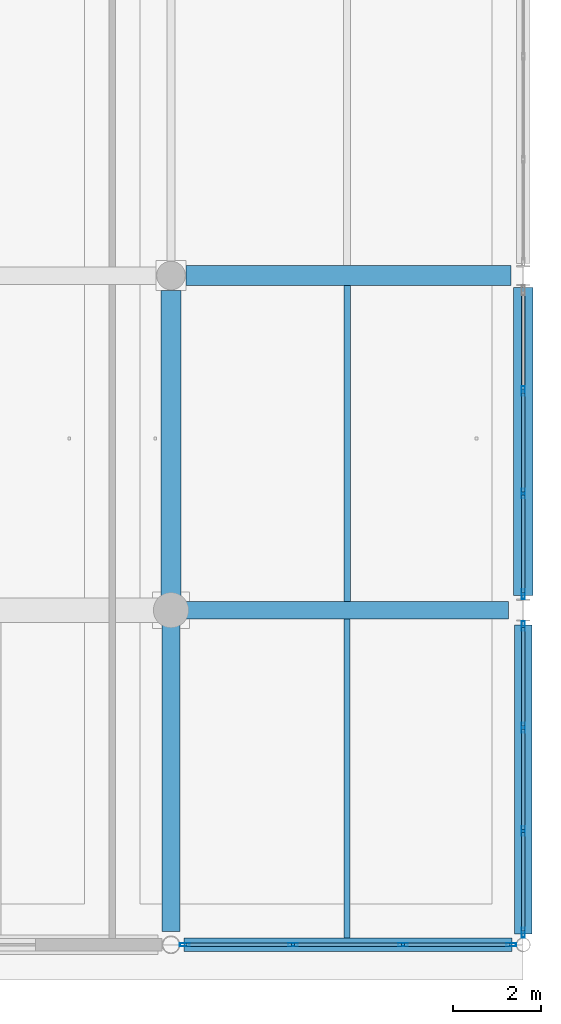
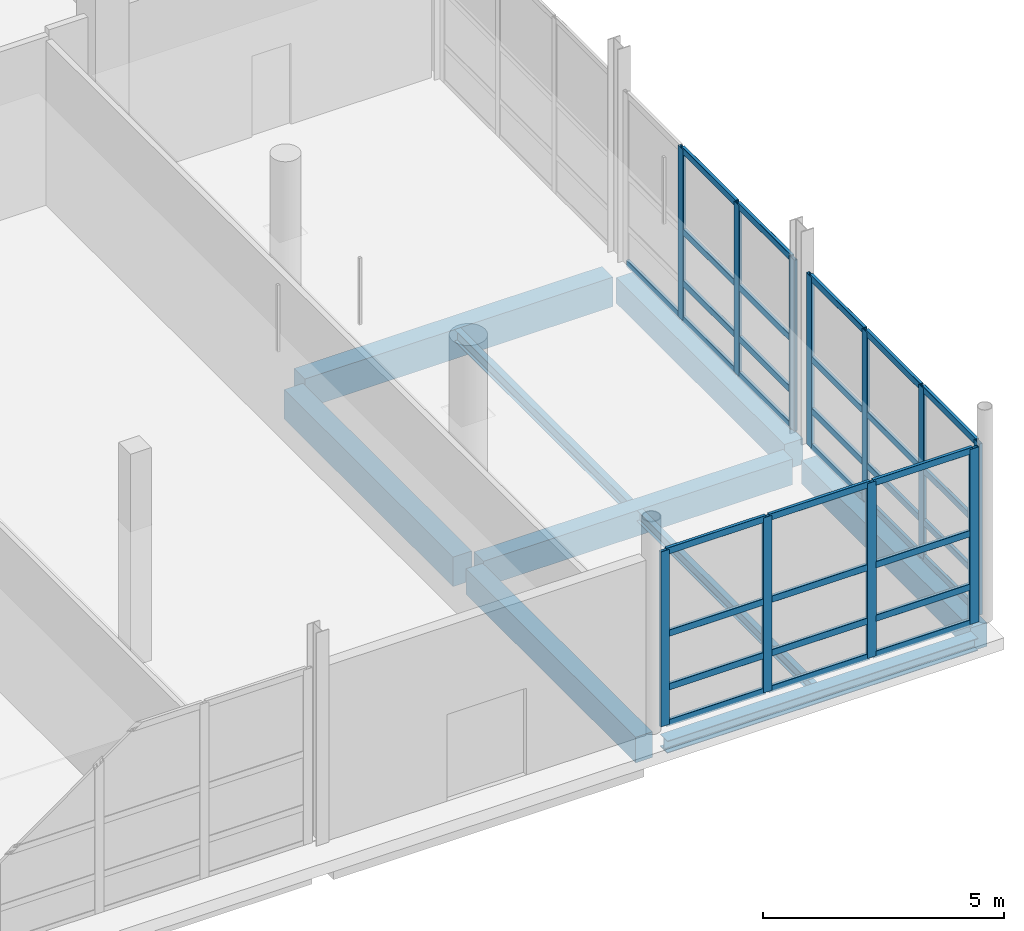
# One storey, part 39 of 126: 44 members, 9 beams, 3 elements without a shape of their own.
"""IFC4 building model written with IfcOpenShell, lengths in metres."""

import ifcopenshell
import ifcopenshell.guid

model = None  # the IFC model being written
_history = None  # IfcOwnerHistory: only IFC2X3 demands one
_inside = {}  # id of a spatial element -> (the spatial element, [elements in it])
_under = {}  # id of a project, library or spatial element -> (it, [spatial elements below it])
_declared = {}  # id of a project -> (the project, [libraries it declares])
_typed = {}  # id of a type object -> (the type object, [elements of that type])
_made_of = {}  # id of a material, layer set ... -> (it, [elements and type objects made of it])


def new_model(schema):
    """Start an empty IFC model of exactly this schema.

    Asked for "IFC4X3", IfcOpenShell would pick the latest addendum, in which some entities
    have other attributes; the version numbers below select the first issue.
    IFC2X3 requires an IfcOwnerHistory on every rooted entity: one is made here for all.
    """
    global model, _history
    if schema == "IFC4X3":
        model = ifcopenshell.file(schema_version=(4, 3, 0, 0))
    else:
        model = ifcopenshell.file(schema=schema)
    _inside.clear()
    _under.clear()
    _declared.clear()
    _typed.clear()
    _made_of.clear()
    _history = None
    if model.schema == "IFC2X3":
        org = make("IfcOrganization", Name="unknown")
        user = make(
            "IfcPersonAndOrganization",
            ThePerson=make("IfcPerson", FamilyName="unknown"),
            TheOrganization=org,
        )
        app = make(
            "IfcApplication",
            ApplicationDeveloper=org,
            Version="unknown",
            ApplicationFullName="unknown",
            ApplicationIdentifier="unknown",
        )
        _history = make(
            "IfcOwnerHistory",
            OwningUser=user,
            OwningApplication=app,
            ChangeAction="ADDED",
            CreationDate=0,
        )
    return model


def make(cls, **values):
    """One entity of the class cls with the attributes given. An attribute that is None is left unset."""
    return model.create_entity(
        cls, **{name: value for name, value in values.items() if value is not None}
    )


def rooted(cls, **values):
    """An entity with a GlobalId (a new one), such as an element, a storey or a relation."""
    return make(cls, GlobalId=ifcopenshell.guid.new(), OwnerHistory=_history, **values)


def si_unit(unit_type, name, prefix=None):
    """IfcSIUnit, for example si_unit("LENGTHUNIT", "METRE", prefix="MILLI")."""
    return make("IfcSIUnit", UnitType=unit_type, Prefix=prefix, Name=name)


def assignment(units):
    """IfcUnitAssignment: the units of a project."""
    return None if units is None else make("IfcUnitAssignment", Units=units)


def point(xyz):
    """IfcCartesianPoint."""
    return None if xyz is None else make("IfcCartesianPoint", Coordinates=xyz)


def direction(xyz):
    """IfcDirection."""
    return None if xyz is None else make("IfcDirection", DirectionRatios=xyz)


def frame(location, z_axis=None, x_axis=None):
    """IfcAxis2Placement3D, a coordinate frame: its origin and axes. An axis left out is left unset."""
    return make(
        "IfcAxis2Placement3D",
        Location=point(location),
        Axis=direction(z_axis),
        RefDirection=direction(x_axis),
    )


def frame_2d(location, x_axis=None):
    """IfcAxis2Placement2D, a coordinate frame in the plane: its origin and x axis."""
    return make(
        "IfcAxis2Placement2D", Location=point(location), RefDirection=direction(x_axis)
    )


def origin():
    """The frame at (0, 0, 0) with its axes left unset."""
    return frame((0.0, 0.0, 0.0))


def origin_2d():
    """The frame at (0, 0) in the plane with its x axis left unset."""
    return frame_2d((0.0, 0.0))


def place(relative_to, where):
    """IfcLocalPlacement: puts the frame where relative to a parent placement (None: the world)."""
    return make(
        "IfcLocalPlacement", PlacementRelTo=relative_to, RelativePlacement=where
    )


def context(
    kind, dimensions, precision=None, world=None, true_north=None, identifier=None
):
    """IfcGeometricRepresentationContext, for example the 3D "Model" context."""
    return make(
        "IfcGeometricRepresentationContext",
        ContextIdentifier=identifier,
        ContextType=kind,
        CoordinateSpaceDimension=dimensions,
        Precision=precision,
        WorldCoordinateSystem=world,
        TrueNorth=true_north,
    )


def subcontext(parent, identifier, kind, view, scale=None):
    """IfcGeometricRepresentationSubContext, for example "Body" below "Model"."""
    return make(
        "IfcGeometricRepresentationSubContext",
        ContextIdentifier=identifier,
        ContextType=kind,
        ParentContext=parent,
        TargetScale=scale,
        TargetView=view,
    )


def project(units=None, contexts=None):
    """IfcProject with its units and contexts."""
    return rooted(
        "IfcProject",
        Name="project",
        RepresentationContexts=contexts,
        UnitsInContext=assignment(units),
    )


def spatial(cls, under=None, at=None, **own):
    """A site, building, storey or space (cls), placed at a placement, below another one or the project."""
    s = rooted(cls, ObjectPlacement=at, **own)
    if under is not None:
        _under.setdefault(under.id(), (under, []))[1].append(s)
    return s


def profile(cls, at=None, kind="AREA", **sizes):
    """A parametric profile (cls). Its sizes go by their IFC names, for example OverallWidth=200.0."""
    return make(cls, ProfileType=kind, Position=at, **sizes)


def rectangle(**sizes):
    """IfcRectangleProfileDef."""
    return profile("IfcRectangleProfileDef", **sizes)


def hollow_rectangle(**sizes):
    """IfcRectangleHollowProfileDef."""
    return profile("IfcRectangleHollowProfileDef", **sizes)


def i_section(**sizes):
    """IfcIShapeProfileDef."""
    return profile("IfcIShapeProfileDef", **sizes)


def extrude(swept, where, along, depth):
    """IfcExtrudedAreaSolid: the profile swept, set in the frame where, extruded along a direction by depth."""
    return make(
        "IfcExtrudedAreaSolid",
        SweptArea=swept,
        Position=where,
        ExtrudedDirection=direction(along),
        Depth=depth,
    )


def shape(context_of_items, identifier, shape_type, items):
    """IfcShapeRepresentation: the items that make up one representation, for example the "Body"."""
    return make(
        "IfcShapeRepresentation",
        ContextOfItems=context_of_items,
        RepresentationIdentifier=identifier,
        RepresentationType=shape_type,
        Items=items,
    )


def material(Name=None, Category=None):
    """IfcMaterial."""
    return make("IfcMaterial", Name=Name, Category=Category)


def material_profile(
    of_material, cross_section, Name=None, Category=None, Priority=None
):
    """IfcMaterialProfile: a cross section and its material."""
    return make(
        "IfcMaterialProfile",
        Name=Name,
        Material=of_material,
        Profile=cross_section,
        Priority=Priority,
        Category=Category,
    )


def profile_set(profiles, Name=None, composite=None):
    """IfcMaterialProfileSet."""
    return make(
        "IfcMaterialProfileSet",
        Name=Name,
        MaterialProfiles=profiles,
        CompositeProfile=composite,
    )


def made_of(thing, what):
    """Note that an element or type object is made of a material, layer set ...; save() writes the relation."""
    if what is not None:
        _made_of.setdefault(what.id(), (what, []))[1].append(thing)
    return thing


def type_object(cls, material=None, **own):
    """A type object (cls), such as IfcWallType, which elements share."""
    return made_of(rooted(cls, **own), material)


def element(
    cls,
    number,
    at=None,
    inside=None,
    cuts=None,
    type_object=None,
    material=None,
    context=None,
    identifier="Body",
    shape_type=None,
    held_by="IfcProductDefinitionShape",
    body=None,
    shapes=None,
    **own,
):
    """One element of the class cls, such as IfcWall. Its Tag is "e" and its number.

    at: its placement. inside: the storey or other place that contains it. cuts: it is an
    opening in that element (IfcRelVoidsElement). A single representation is given by context,
    identifier, shape_type and body (its items); several are given by shapes. held_by: the class
    of the entity that holds the representations. save() writes the other relations.
    """
    e = rooted(cls, Tag="e%d" % number, ObjectPlacement=at, **own)
    if body is not None:
        shapes = [shape(context, identifier, shape_type, body)]
    if shapes is not None:
        e.Representation = make(held_by, Representations=shapes)
    if inside is not None:
        _inside.setdefault(inside.id(), (inside, []))[1].append(e)
    if cuts is not None:
        rooted(
            "IfcRelVoidsElement", RelatingBuildingElement=cuts, RelatedOpeningElement=e
        )
    if type_object is not None:
        _typed.setdefault(type_object.id(), (type_object, []))[1].append(e)
    return made_of(e, material)


def aggregate(whole, parts):
    """IfcRelAggregates: a whole, such as a stair, and the parts it consists of."""
    return rooted("IfcRelAggregates", RelatingObject=whole, RelatedObjects=parts)


def save(model, path):
    """Write the relations noted so far, then the file.

    IfcRelAggregates (storeys below a building ...), IfcRelContainedInSpatialStructure (elements
    in a storey), IfcRelDefinesByType, IfcRelAssociatesMaterial and IfcRelDeclares: one each for
    every whole, place, type object, material and project.
    """
    for whole, parts in _under.values():
        aggregate(whole, parts)
    for where, things in _inside.values():
        rooted(
            "IfcRelContainedInSpatialStructure",
            RelatedElements=things,
            RelatingStructure=where,
        )
    for kind, things in _typed.values():
        rooted("IfcRelDefinesByType", RelatedObjects=things, RelatingType=kind)
    for what, things in _made_of.values():
        rooted("IfcRelAssociatesMaterial", RelatedObjects=things, RelatingMaterial=what)
    for by, libraries in _declared.values():
        rooted("IfcRelDeclares", RelatingContext=by, RelatedDefinitions=libraries)
    model.write(path)


model = new_model("IFC4")

# Units and contexts
model_context = context("Model", 3, precision=1e-05, world=origin(), true_north=direction((0.0, 1.0)))
body_context = subcontext(model_context, "Body", "Model", "MODEL_VIEW")
ifc_project = project(units=[si_unit("LENGTHUNIT", "METRE"), si_unit("AREAUNIT", "SQUARE_METRE"), si_unit("VOLUMEUNIT", "CUBIC_METRE"), si_unit("PLANEANGLEUNIT", "RADIAN"), si_unit("MASSUNIT", "GRAM", prefix="KILO")], contexts=[model_context])

# Site, building, storey
site_placement = place(None, origin())
site = spatial("IfcSite", under=ifc_project, at=site_placement, CompositionType="ELEMENT")
building_placement = place(site_placement, origin())
building = spatial("IfcBuilding", under=site, at=building_placement, Name="Khelvaren Railside Concert Hall", CompositionType="ELEMENT")
storey_placement = place(building_placement, origin())
storey = spatial("IfcBuildingStorey", under=building, at=storey_placement, Name="L00", CompositionType="ELEMENT", Elevation=0.0)

# Beams
ifc_material_1 = material(Name="Concrete C40/50", Category="concrete")
ifc_material_profile_1 = material_profile(ifc_material_1, rectangle(XDim=0.39990234375, YDim=0.64990234375, at=origin_2d()), Name="RCB 400x650")
ifc_profile_set_1 = profile_set([ifc_material_profile_1], Name="Concrete C40/50")
beam_type_1 = type_object("IfcBeamType", Name="BM33", PredefinedType="BEAM", material=ifc_profile_set_1)
beam_1_placement = place(storey_placement, frame((176.25, 7.60009765625, -0.64501953125), z_axis=(1.0, 0.0, 0.0), x_axis=(0.0, 1.0, 0.0)))
element("IfcBeam", 1, at=beam_1_placement, inside=storey, type_object=beam_type_1, Name="V2 L00 Beam X2.5", PredefinedType="BEAM", context=body_context, shape_type="SweptSolid", body=[
    extrude(rectangle(XDim=0.39990234375, YDim=0.64990234375, at=origin_2d()), origin(), (0.0, 0.0, 1.0), 7.4140625),
])
beam_2_placement = place(storey_placement, frame((176.0, 0.300048828125, -0.64501953125), z_axis=(0.0, 1.0, 0.0), x_axis=(-1.0, 0.0, 0.0)))
element("IfcBeam", 2, at=beam_2_placement, inside=storey, type_object=beam_type_1, Name="V2 L00 Beam Y5.1", PredefinedType="BEAM", context=body_context, shape_type="SweptSolid", body=[
    extrude(rectangle(XDim=0.39990234375, YDim=0.64990234375, at=origin_2d()), origin(), (0.0, 0.0, 1.0), 7.050048828125),
])
ifc_material_profile_2 = material_profile(ifc_material_1, rectangle(XDim=0.449951171875, YDim=0.75, at=origin_2d()), Name="RCB 450x750")
ifc_profile_set_2 = profile_set([ifc_material_profile_2], Name="Concrete C40/50")
beam_type_2 = type_object("IfcBeamType", Name="BM83", PredefinedType="BEAM", material=ifc_profile_set_2)
beam_3_placement = place(storey_placement, frame((176.3359375, 15.199951171875, -0.695068359375), z_axis=(1.0, 0.0, 0.0), x_axis=(0.0, 1.0, 0.0)))
element("IfcBeam", 3, at=beam_3_placement, inside=storey, type_object=beam_type_2, Name="V2 L00 Beam X3.5", PredefinedType="BEAM", context=body_context, shape_type="SweptSolid", body=[
    extrude(rectangle(XDim=0.449951171875, YDim=0.75, at=origin_2d()), origin(), (0.0, 0.0, 1.0), 7.39111328125),
])
beam_4_placement = place(storey_placement, frame((176.0, 7.85009765625, -0.695068359375), z_axis=(0.0, 1.0, 0.0), x_axis=(-1.0, 0.0, 0.0)))
element("IfcBeam", 4, at=beam_4_placement, inside=storey, type_object=beam_type_2, Name="V2 L00 Beam Y5.2", PredefinedType="BEAM", context=body_context, shape_type="SweptSolid", body=[
    extrude(rectangle(XDim=0.449951171875, YDim=0.75, at=origin_2d()), origin(), (0.0, 0.0, 1.0), 7.013916015625),
])

# Curtain wall, members
ifc_material_2 = material(Name="Triple-glazed solar-control glass", Category="glass")
curtain_wall_type_1 = type_object("IfcCurtainWallType", Name="CW14", PredefinedType="USERDEFINED", material=ifc_material_2)
curtain_wall_1_placement = place(storey_placement, origin())
curtain_wall_1 = element("IfcCurtainWall", 5, at=curtain_wall_1_placement, inside=storey, type_object=curtain_wall_type_1, Name="Unitised Curtain Wall CW-V2-L00-S-176", ObjectType="UNITISED CURTAIN WALL", PredefinedType="USERDEFINED")
ifc_material_3 = material(Name="Anodised architectural aluminium 6063-T6", Category="aluminium")
ifc_material_profile_3 = material_profile(ifc_material_3, hollow_rectangle(XDim=0.074951171875, YDim=0.219970703125, WallThickness=0.0048828125, InnerFilletRadius=0.0029296875, OuterFilletRadius=0.0048828125, at=origin_2d()), Name="CWM 75x220x5")
ifc_profile_set_3 = profile_set([ifc_material_profile_3], Name="Anodised architectural aluminium 6063-T6")
member_type_1 = type_object("IfcMemberType", Name="CWM13", PredefinedType="MULLION", material=ifc_profile_set_3)
member_1_placement = place(storey_placement, frame((183.72802734375, 0.0, 0.0), z_axis=(0.0, 0.0, 1.0), x_axis=(0.0, -1.0, 0.0)))
member_1 = element("IfcMember", 6, at=member_1_placement, type_object=member_type_1, Name="CW14 mullion 1", PredefinedType="MULLION", context=body_context, shape_type="SweptSolid", body=[
    extrude(hollow_rectangle(XDim=0.074951171875, YDim=0.219970703125, WallThickness=0.0048828125, InnerFilletRadius=0.0029296875, OuterFilletRadius=0.0048828125, at=origin_2d()), origin(), (0.0, 0.0, 1.0), 4.43994140625),
])
member_2_placement = place(storey_placement, frame((181.268798828125, 0.0, 0.0), z_axis=(0.0, 0.0, 1.0), x_axis=(0.0, -1.0, 0.0)))
member_2 = element("IfcMember", 7, at=member_2_placement, type_object=member_type_1, Name="CW14 mullion 2", PredefinedType="MULLION", context=body_context, shape_type="SweptSolid", body=[
    extrude(hollow_rectangle(XDim=0.074951171875, YDim=0.219970703125, WallThickness=0.0048828125, InnerFilletRadius=0.0029296875, OuterFilletRadius=0.0048828125, at=origin_2d()), origin(), (0.0, 0.0, 1.0), 4.43994140625),
])
member_3_placement = place(storey_placement, frame((178.772216796875, 0.0, 0.0), z_axis=(0.0, 0.0, 1.0), x_axis=(0.0, -1.0, 0.0)))
member_3 = element("IfcMember", 8, at=member_3_placement, type_object=member_type_1, Name="CW14 mullion 3", PredefinedType="MULLION", context=body_context, shape_type="SweptSolid", body=[
    extrude(hollow_rectangle(XDim=0.074951171875, YDim=0.219970703125, WallThickness=0.0048828125, InnerFilletRadius=0.0029296875, OuterFilletRadius=0.0048828125, at=origin_2d()), origin(), (0.0, 0.0, 1.0), 4.43994140625),
])
member_4_placement = place(storey_placement, frame((176.313232421875, 0.0, 0.0), z_axis=(0.0, 0.0, 1.0), x_axis=(0.0, -1.0, 0.0)))
member_4 = element("IfcMember", 9, at=member_4_placement, type_object=member_type_1, Name="CW14 mullion 4", PredefinedType="MULLION", context=body_context, shape_type="SweptSolid", body=[
    extrude(hollow_rectangle(XDim=0.074951171875, YDim=0.219970703125, WallThickness=0.0048828125, InnerFilletRadius=0.0029296875, OuterFilletRadius=0.0048828125, at=origin_2d()), origin(), (0.0, 0.0, 1.0), 4.43994140625),
])

curtain_wall_type_2 = type_object("IfcCurtainWallType", Name="CW80", PredefinedType="USERDEFINED", material=ifc_material_2)
curtain_wall_2_placement = place(storey_placement, origin())
curtain_wall_2 = element("IfcCurtainWall", 10, at=curtain_wall_2_placement, inside=storey, type_object=curtain_wall_type_2, Name="Unitised Curtain Wall CW-V2-L00-E-0", ObjectType="UNITISED CURTAIN WALL", PredefinedType="USERDEFINED")
member_5_placement = place(storey_placement, frame((184.0, 7.239990234375, 0.0), z_axis=(0.0, 0.0, 1.0), x_axis=(1.0, 0.0, 0.0)))
member_5 = element("IfcMember", 11, at=member_5_placement, type_object=member_type_1, Name="CW80 mullion 1", PredefinedType="MULLION", context=body_context, shape_type="SweptSolid", body=[
    extrude(hollow_rectangle(XDim=0.074951171875, YDim=0.219970703125, WallThickness=0.0048828125, InnerFilletRadius=0.0029296875, OuterFilletRadius=0.0048828125, at=origin_2d()), origin(), (0.0, 0.0, 1.0), 4.340087890625),
])
member_6_placement = place(storey_placement, frame((184.0, 4.929931640625, 0.0), z_axis=(0.0, 0.0, 1.0), x_axis=(1.0, 0.0, 0.0)))
member_6 = element("IfcMember", 12, at=member_6_placement, type_object=member_type_1, Name="CW80 mullion 2", PredefinedType="MULLION", context=body_context, shape_type="SweptSolid", body=[
    extrude(hollow_rectangle(XDim=0.074951171875, YDim=0.219970703125, WallThickness=0.0048828125, InnerFilletRadius=0.0029296875, OuterFilletRadius=0.0048828125, at=origin_2d()), origin(), (0.0, 0.0, 1.0), 4.340087890625),
])
member_7_placement = place(storey_placement, frame((184.0, 2.582275390625, 0.0), z_axis=(0.0, 0.0, 1.0), x_axis=(1.0, 0.0, 0.0)))
member_7 = element("IfcMember", 13, at=member_7_placement, type_object=member_type_1, Name="CW80 mullion 3", PredefinedType="MULLION", context=body_context, shape_type="SweptSolid", body=[
    extrude(hollow_rectangle(XDim=0.074951171875, YDim=0.219970703125, WallThickness=0.0048828125, InnerFilletRadius=0.0029296875, OuterFilletRadius=0.0048828125, at=origin_2d()), origin(), (0.0, 0.0, 1.0), 4.340087890625),
])
member_8_placement = place(storey_placement, frame((184.0, 0.27197265625, 0.0), z_axis=(0.0, 0.0, 1.0), x_axis=(1.0, 0.0, 0.0)))
member_8 = element("IfcMember", 14, at=member_8_placement, type_object=member_type_1, Name="CW80 mullion 4", PredefinedType="MULLION", context=body_context, shape_type="SweptSolid", body=[
    extrude(hollow_rectangle(XDim=0.074951171875, YDim=0.219970703125, WallThickness=0.0048828125, InnerFilletRadius=0.0029296875, OuterFilletRadius=0.0048828125, at=origin_2d()), origin(), (0.0, 0.0, 1.0), 4.340087890625),
])

curtain_wall_type_3 = type_object("IfcCurtainWallType", Name="CW41", PredefinedType="USERDEFINED", material=ifc_material_2)
curtain_wall_3_placement = place(storey_placement, origin())
curtain_wall_3 = element("IfcCurtainWall", 15, at=curtain_wall_3_placement, inside=storey, type_object=curtain_wall_type_3, Name="Unitised Curtain Wall CW-V2-L00-E-8", ObjectType="UNITISED CURTAIN WALL", PredefinedType="USERDEFINED")
member_9_placement = place(storey_placement, frame((184.0, 12.575927734375, 0.0), z_axis=(0.0, 0.0, 1.0), x_axis=(1.0, 0.0, 0.0)))
member_9 = element("IfcMember", 16, at=member_9_placement, type_object=member_type_1, Name="CW41 mullion 2", PredefinedType="MULLION", context=body_context, shape_type="SweptSolid", body=[
    extrude(hollow_rectangle(XDim=0.074951171875, YDim=0.219970703125, WallThickness=0.0048828125, InnerFilletRadius=0.0029296875, OuterFilletRadius=0.0048828125, at=origin_2d()), origin(), (0.0, 0.0, 1.0), 4.340087890625),
])
member_10_placement = place(storey_placement, frame((184.0, 10.249267578125, 0.0), z_axis=(0.0, 0.0, 1.0), x_axis=(1.0, 0.0, 0.0)))
member_10 = element("IfcMember", 17, at=member_10_placement, type_object=member_type_1, Name="CW41 mullion 3", PredefinedType="MULLION", context=body_context, shape_type="SweptSolid", body=[
    extrude(hollow_rectangle(XDim=0.074951171875, YDim=0.219970703125, WallThickness=0.0048828125, InnerFilletRadius=0.0029296875, OuterFilletRadius=0.0048828125, at=origin_2d()), origin(), (0.0, 0.0, 1.0), 4.340087890625),
])
member_11_placement = place(storey_placement, frame((184.0, 7.9599609375, 0.0), z_axis=(0.0, 0.0, 1.0), x_axis=(1.0, 0.0, 0.0)))
member_11 = element("IfcMember", 18, at=member_11_placement, type_object=member_type_1, Name="CW41 mullion 4", PredefinedType="MULLION", context=body_context, shape_type="SweptSolid", body=[
    extrude(hollow_rectangle(XDim=0.074951171875, YDim=0.219970703125, WallThickness=0.0048828125, InnerFilletRadius=0.0029296875, OuterFilletRadius=0.0048828125, at=origin_2d()), origin(), (0.0, 0.0, 1.0), 4.340087890625),
])

# Member
ifc_material_profile_4 = material_profile(ifc_material_3, hollow_rectangle(XDim=0.074951171875, YDim=0.1650390625, WallThickness=0.00390625, InnerFilletRadius=0.001953125, OuterFilletRadius=0.00390625, at=origin_2d()), Name="CWT 75x165x4")
ifc_profile_set_4 = profile_set([ifc_material_profile_4], Name="Anodised architectural aluminium 6063-T6")
member_type_2 = type_object("IfcMemberType", Name="CWT46", PredefinedType="USERDEFINED", material=ifc_profile_set_4)
member_12_placement = place(storey_placement, frame((183.6904296875, 0.0, 0.03759765625), z_axis=(-1.0, 0.0, 0.0), x_axis=(0.0, -1.0, 0.0)))
member_12 = element("IfcMember", 19, at=member_12_placement, type_object=member_type_2, Name="CW14 transom 1.1", ObjectType="TRANSOM", PredefinedType="USERDEFINED", context=body_context, shape_type="SweptSolid", body=[
    extrude(hollow_rectangle(XDim=0.074951171875, YDim=0.1650390625, WallThickness=0.00390625, InnerFilletRadius=0.001953125, OuterFilletRadius=0.00390625, at=origin_2d()), origin(), (0.0, 0.0, 1.0), 2.384033203125),
])

member_13_placement = place(storey_placement, frame((183.6904296875, 0.0, 0.949951171875), z_axis=(-1.0, 0.0, 0.0), x_axis=(0.0, -1.0, 0.0)))
member_13 = element("IfcMember", 20, at=member_13_placement, type_object=member_type_2, Name="CW14 transom 1.2", ObjectType="TRANSOM", PredefinedType="USERDEFINED", context=body_context, shape_type="SweptSolid", body=[
    extrude(hollow_rectangle(XDim=0.074951171875, YDim=0.1650390625, WallThickness=0.00390625, InnerFilletRadius=0.001953125, OuterFilletRadius=0.00390625, at=origin_2d()), origin(), (0.0, 0.0, 1.0), 2.384033203125),
])

member_14_placement = place(storey_placement, frame((183.6904296875, 0.0, 2.308837890625), z_axis=(-1.0, 0.0, 0.0), x_axis=(0.0, -1.0, 0.0)))
member_14 = element("IfcMember", 21, at=member_14_placement, type_object=member_type_2, Name="CW14 transom 1.3", ObjectType="TRANSOM", PredefinedType="USERDEFINED", context=body_context, shape_type="SweptSolid", body=[
    extrude(hollow_rectangle(XDim=0.074951171875, YDim=0.1650390625, WallThickness=0.00390625, InnerFilletRadius=0.001953125, OuterFilletRadius=0.00390625, at=origin_2d()), origin(), (0.0, 0.0, 1.0), 2.384033203125),
])

member_15_placement = place(storey_placement, frame((183.6904296875, 0.0, 4.402587890625), z_axis=(-1.0, 0.0, 0.0), x_axis=(0.0, -1.0, 0.0)))
member_15 = element("IfcMember", 22, at=member_15_placement, type_object=member_type_2, Name="CW14 transom 1.4", ObjectType="TRANSOM", PredefinedType="USERDEFINED", context=body_context, shape_type="SweptSolid", body=[
    extrude(hollow_rectangle(XDim=0.074951171875, YDim=0.1650390625, WallThickness=0.00390625, InnerFilletRadius=0.001953125, OuterFilletRadius=0.00390625, at=origin_2d()), origin(), (0.0, 0.0, 1.0), 2.384033203125),
])

member_16_placement = place(storey_placement, frame((181.2314453125, 0.0, 0.03759765625), z_axis=(-1.0, 0.0, 0.0), x_axis=(0.0, -1.0, 0.0)))
member_16 = element("IfcMember", 23, at=member_16_placement, type_object=member_type_2, Name="CW14 transom 2.1", ObjectType="TRANSOM", PredefinedType="USERDEFINED", context=body_context, shape_type="SweptSolid", body=[
    extrude(hollow_rectangle(XDim=0.074951171875, YDim=0.1650390625, WallThickness=0.00390625, InnerFilletRadius=0.001953125, OuterFilletRadius=0.00390625, at=origin_2d()), origin(), (0.0, 0.0, 1.0), 2.421630859375),
])

member_17_placement = place(storey_placement, frame((181.2314453125, 0.0, 0.949951171875), z_axis=(-1.0, 0.0, 0.0), x_axis=(0.0, -1.0, 0.0)))
member_17 = element("IfcMember", 24, at=member_17_placement, type_object=member_type_2, Name="CW14 transom 2.2", ObjectType="TRANSOM", PredefinedType="USERDEFINED", context=body_context, shape_type="SweptSolid", body=[
    extrude(hollow_rectangle(XDim=0.074951171875, YDim=0.1650390625, WallThickness=0.00390625, InnerFilletRadius=0.001953125, OuterFilletRadius=0.00390625, at=origin_2d()), origin(), (0.0, 0.0, 1.0), 2.421630859375),
])

member_18_placement = place(storey_placement, frame((181.2314453125, 0.0, 2.308837890625), z_axis=(-1.0, 0.0, 0.0), x_axis=(0.0, -1.0, 0.0)))
member_18 = element("IfcMember", 25, at=member_18_placement, type_object=member_type_2, Name="CW14 transom 2.3", ObjectType="TRANSOM", PredefinedType="USERDEFINED", context=body_context, shape_type="SweptSolid", body=[
    extrude(hollow_rectangle(XDim=0.074951171875, YDim=0.1650390625, WallThickness=0.00390625, InnerFilletRadius=0.001953125, OuterFilletRadius=0.00390625, at=origin_2d()), origin(), (0.0, 0.0, 1.0), 2.421630859375),
])

member_19_placement = place(storey_placement, frame((181.2314453125, 0.0, 4.402587890625), z_axis=(-1.0, 0.0, 0.0), x_axis=(0.0, -1.0, 0.0)))
member_19 = element("IfcMember", 26, at=member_19_placement, type_object=member_type_2, Name="CW14 transom 2.4", ObjectType="TRANSOM", PredefinedType="USERDEFINED", context=body_context, shape_type="SweptSolid", body=[
    extrude(hollow_rectangle(XDim=0.074951171875, YDim=0.1650390625, WallThickness=0.00390625, InnerFilletRadius=0.001953125, OuterFilletRadius=0.00390625, at=origin_2d()), origin(), (0.0, 0.0, 1.0), 2.421630859375),
])

member_20_placement = place(storey_placement, frame((178.73486328125, 0.0, 0.03759765625), z_axis=(-1.0, 0.0, 0.0), x_axis=(0.0, -1.0, 0.0)))
member_20 = element("IfcMember", 27, at=member_20_placement, type_object=member_type_2, Name="CW14 transom 3.1", ObjectType="TRANSOM", PredefinedType="USERDEFINED", context=body_context, shape_type="SweptSolid", body=[
    extrude(hollow_rectangle(XDim=0.074951171875, YDim=0.1650390625, WallThickness=0.00390625, InnerFilletRadius=0.001953125, OuterFilletRadius=0.00390625, at=origin_2d()), origin(), (0.0, 0.0, 1.0), 2.38427734375),
])

member_21_placement = place(storey_placement, frame((178.73486328125, 0.0, 0.949951171875), z_axis=(-1.0, 0.0, 0.0), x_axis=(0.0, -1.0, 0.0)))
member_21 = element("IfcMember", 28, at=member_21_placement, type_object=member_type_2, Name="CW14 transom 3.2", ObjectType="TRANSOM", PredefinedType="USERDEFINED", context=body_context, shape_type="SweptSolid", body=[
    extrude(hollow_rectangle(XDim=0.074951171875, YDim=0.1650390625, WallThickness=0.00390625, InnerFilletRadius=0.001953125, OuterFilletRadius=0.00390625, at=origin_2d()), origin(), (0.0, 0.0, 1.0), 2.38427734375),
])

member_22_placement = place(storey_placement, frame((178.73486328125, 0.0, 2.308837890625), z_axis=(-1.0, 0.0, 0.0), x_axis=(0.0, -1.0, 0.0)))
member_22 = element("IfcMember", 29, at=member_22_placement, type_object=member_type_2, Name="CW14 transom 3.3", ObjectType="TRANSOM", PredefinedType="USERDEFINED", context=body_context, shape_type="SweptSolid", body=[
    extrude(hollow_rectangle(XDim=0.074951171875, YDim=0.1650390625, WallThickness=0.00390625, InnerFilletRadius=0.001953125, OuterFilletRadius=0.00390625, at=origin_2d()), origin(), (0.0, 0.0, 1.0), 2.38427734375),
])

member_23_placement = place(storey_placement, frame((178.73486328125, 0.0, 4.402587890625), z_axis=(-1.0, 0.0, 0.0), x_axis=(0.0, -1.0, 0.0)))
member_23 = element("IfcMember", 30, at=member_23_placement, type_object=member_type_2, Name="CW14 transom 3.4", ObjectType="TRANSOM", PredefinedType="USERDEFINED", context=body_context, shape_type="SweptSolid", body=[
    extrude(hollow_rectangle(XDim=0.074951171875, YDim=0.1650390625, WallThickness=0.00390625, InnerFilletRadius=0.001953125, OuterFilletRadius=0.00390625, at=origin_2d()), origin(), (0.0, 0.0, 1.0), 2.38427734375),
])

aggregate(curtain_wall_1, [member_1, member_2, member_3, member_4, member_12, member_13, member_14, member_15, member_16, member_17, member_18, member_19, member_20, member_21, member_22, member_23])

member_24_placement = place(storey_placement, frame((184.0, 7.202392578125, 0.03759765625), z_axis=(0.0, -1.0, 0.0), x_axis=(1.0, 0.0, 0.0)))
member_24 = element("IfcMember", 31, at=member_24_placement, type_object=member_type_2, Name="CW80 transom 1.1", ObjectType="TRANSOM", PredefinedType="USERDEFINED", context=body_context, shape_type="SweptSolid", body=[
    extrude(hollow_rectangle(XDim=0.074951171875, YDim=0.1650390625, WallThickness=0.00390625, InnerFilletRadius=0.001953125, OuterFilletRadius=0.00390625, at=origin_2d()), origin(), (0.0, 0.0, 1.0), 2.235107421875),
])

member_25_placement = place(storey_placement, frame((184.0, 7.202392578125, 0.949951171875), z_axis=(0.0, -1.0, 0.0), x_axis=(1.0, 0.0, 0.0)))
member_25 = element("IfcMember", 32, at=member_25_placement, type_object=member_type_2, Name="CW80 transom 1.2", ObjectType="TRANSOM", PredefinedType="USERDEFINED", context=body_context, shape_type="SweptSolid", body=[
    extrude(hollow_rectangle(XDim=0.074951171875, YDim=0.1650390625, WallThickness=0.00390625, InnerFilletRadius=0.001953125, OuterFilletRadius=0.00390625, at=origin_2d()), origin(), (0.0, 0.0, 1.0), 2.235107421875),
])

member_26_placement = place(storey_placement, frame((184.0, 7.202392578125, 2.2568359375), z_axis=(0.0, -1.0, 0.0), x_axis=(1.0, 0.0, 0.0)))
member_26 = element("IfcMember", 33, at=member_26_placement, type_object=member_type_2, Name="CW80 transom 1.3", ObjectType="TRANSOM", PredefinedType="USERDEFINED", context=body_context, shape_type="SweptSolid", body=[
    extrude(hollow_rectangle(XDim=0.074951171875, YDim=0.1650390625, WallThickness=0.00390625, InnerFilletRadius=0.001953125, OuterFilletRadius=0.00390625, at=origin_2d()), origin(), (0.0, 0.0, 1.0), 2.235107421875),
])

member_27_placement = place(storey_placement, frame((184.0, 7.202392578125, 4.302490234375), z_axis=(0.0, -1.0, 0.0), x_axis=(1.0, 0.0, 0.0)))
member_27 = element("IfcMember", 34, at=member_27_placement, type_object=member_type_2, Name="CW80 transom 1.4", ObjectType="TRANSOM", PredefinedType="USERDEFINED", context=body_context, shape_type="SweptSolid", body=[
    extrude(hollow_rectangle(XDim=0.074951171875, YDim=0.1650390625, WallThickness=0.00390625, InnerFilletRadius=0.001953125, OuterFilletRadius=0.00390625, at=origin_2d()), origin(), (0.0, 0.0, 1.0), 2.235107421875),
])

member_28_placement = place(storey_placement, frame((184.0, 4.892333984375, 0.03759765625), z_axis=(0.0, -1.0, 0.0), x_axis=(1.0, 0.0, 0.0)))
member_28 = element("IfcMember", 35, at=member_28_placement, type_object=member_type_2, Name="CW80 transom 2.1", ObjectType="TRANSOM", PredefinedType="USERDEFINED", context=body_context, shape_type="SweptSolid", body=[
    extrude(hollow_rectangle(XDim=0.074951171875, YDim=0.1650390625, WallThickness=0.00390625, InnerFilletRadius=0.001953125, OuterFilletRadius=0.00390625, at=origin_2d()), origin(), (0.0, 0.0, 1.0), 2.272705078125),
])

member_29_placement = place(storey_placement, frame((184.0, 4.892333984375, 0.949951171875), z_axis=(0.0, -1.0, 0.0), x_axis=(1.0, 0.0, 0.0)))
member_29 = element("IfcMember", 36, at=member_29_placement, type_object=member_type_2, Name="CW80 transom 2.2", ObjectType="TRANSOM", PredefinedType="USERDEFINED", context=body_context, shape_type="SweptSolid", body=[
    extrude(hollow_rectangle(XDim=0.074951171875, YDim=0.1650390625, WallThickness=0.00390625, InnerFilletRadius=0.001953125, OuterFilletRadius=0.00390625, at=origin_2d()), origin(), (0.0, 0.0, 1.0), 2.272705078125),
])

member_30_placement = place(storey_placement, frame((184.0, 4.892333984375, 2.2568359375), z_axis=(0.0, -1.0, 0.0), x_axis=(1.0, 0.0, 0.0)))
member_30 = element("IfcMember", 37, at=member_30_placement, type_object=member_type_2, Name="CW80 transom 2.3", ObjectType="TRANSOM", PredefinedType="USERDEFINED", context=body_context, shape_type="SweptSolid", body=[
    extrude(hollow_rectangle(XDim=0.074951171875, YDim=0.1650390625, WallThickness=0.00390625, InnerFilletRadius=0.001953125, OuterFilletRadius=0.00390625, at=origin_2d()), origin(), (0.0, 0.0, 1.0), 2.272705078125),
])

member_31_placement = place(storey_placement, frame((184.0, 4.892333984375, 4.302490234375), z_axis=(0.0, -1.0, 0.0), x_axis=(1.0, 0.0, 0.0)))
member_31 = element("IfcMember", 38, at=member_31_placement, type_object=member_type_2, Name="CW80 transom 2.4", ObjectType="TRANSOM", PredefinedType="USERDEFINED", context=body_context, shape_type="SweptSolid", body=[
    extrude(hollow_rectangle(XDim=0.074951171875, YDim=0.1650390625, WallThickness=0.00390625, InnerFilletRadius=0.001953125, OuterFilletRadius=0.00390625, at=origin_2d()), origin(), (0.0, 0.0, 1.0), 2.272705078125),
])

member_32_placement = place(storey_placement, frame((184.0, 2.544677734375, 0.03759765625), z_axis=(0.0, -1.0, 0.0), x_axis=(1.0, 0.0, 0.0)))
member_32 = element("IfcMember", 39, at=member_32_placement, type_object=member_type_2, Name="CW80 transom 3.1", ObjectType="TRANSOM", PredefinedType="USERDEFINED", context=body_context, shape_type="SweptSolid", body=[
    extrude(hollow_rectangle(XDim=0.074951171875, YDim=0.1650390625, WallThickness=0.00390625, InnerFilletRadius=0.001953125, OuterFilletRadius=0.00390625, at=origin_2d()), origin(), (0.0, 0.0, 1.0), 2.235107421875),
])

member_33_placement = place(storey_placement, frame((184.0, 2.544677734375, 0.949951171875), z_axis=(0.0, -1.0, 0.0), x_axis=(1.0, 0.0, 0.0)))
member_33 = element("IfcMember", 40, at=member_33_placement, type_object=member_type_2, Name="CW80 transom 3.2", ObjectType="TRANSOM", PredefinedType="USERDEFINED", context=body_context, shape_type="SweptSolid", body=[
    extrude(hollow_rectangle(XDim=0.074951171875, YDim=0.1650390625, WallThickness=0.00390625, InnerFilletRadius=0.001953125, OuterFilletRadius=0.00390625, at=origin_2d()), origin(), (0.0, 0.0, 1.0), 2.235107421875),
])

member_34_placement = place(storey_placement, frame((184.0, 2.544677734375, 2.2568359375), z_axis=(0.0, -1.0, 0.0), x_axis=(1.0, 0.0, 0.0)))
member_34 = element("IfcMember", 41, at=member_34_placement, type_object=member_type_2, Name="CW80 transom 3.3", ObjectType="TRANSOM", PredefinedType="USERDEFINED", context=body_context, shape_type="SweptSolid", body=[
    extrude(hollow_rectangle(XDim=0.074951171875, YDim=0.1650390625, WallThickness=0.00390625, InnerFilletRadius=0.001953125, OuterFilletRadius=0.00390625, at=origin_2d()), origin(), (0.0, 0.0, 1.0), 2.235107421875),
])

member_35_placement = place(storey_placement, frame((184.0, 2.544677734375, 4.302490234375), z_axis=(0.0, -1.0, 0.0), x_axis=(1.0, 0.0, 0.0)))
member_35 = element("IfcMember", 42, at=member_35_placement, type_object=member_type_2, Name="CW80 transom 3.4", ObjectType="TRANSOM", PredefinedType="USERDEFINED", context=body_context, shape_type="SweptSolid", body=[
    extrude(hollow_rectangle(XDim=0.074951171875, YDim=0.1650390625, WallThickness=0.00390625, InnerFilletRadius=0.001953125, OuterFilletRadius=0.00390625, at=origin_2d()), origin(), (0.0, 0.0, 1.0), 2.235107421875),
])

aggregate(curtain_wall_2, [member_5, member_6, member_7, member_8, member_24, member_25, member_26, member_27, member_28, member_29, member_30, member_31, member_32, member_33, member_34, member_35])

member_36_placement = place(storey_placement, frame((184.0, 14.827392578125, 0.03759765625), z_axis=(0.0, -1.0, 0.0), x_axis=(1.0, 0.0, 0.0)))
member_36 = element("IfcMember", 43, at=member_36_placement, type_object=member_type_2, Name="CW41 transom 1.1", ObjectType="TRANSOM", PredefinedType="USERDEFINED", context=body_context, shape_type="SweptSolid", body=[
    extrude(hollow_rectangle(XDim=0.074951171875, YDim=0.1650390625, WallThickness=0.00390625, InnerFilletRadius=0.001953125, OuterFilletRadius=0.00390625, at=origin_2d()), origin(), (0.0, 0.0, 1.0), 2.214111328125),
])

member_37_placement = place(storey_placement, frame((184.0, 12.538330078125, 0.03759765625), z_axis=(0.0, -1.0, 0.0), x_axis=(1.0, 0.0, 0.0)))
member_37 = element("IfcMember", 44, at=member_37_placement, type_object=member_type_2, Name="CW41 transom 2.1", ObjectType="TRANSOM", PredefinedType="USERDEFINED", context=body_context, shape_type="SweptSolid", body=[
    extrude(hollow_rectangle(XDim=0.074951171875, YDim=0.1650390625, WallThickness=0.00390625, InnerFilletRadius=0.001953125, OuterFilletRadius=0.00390625, at=origin_2d()), origin(), (0.0, 0.0, 1.0), 2.251708984375),
])

member_38_placement = place(storey_placement, frame((184.0, 12.538330078125, 0.949951171875), z_axis=(0.0, -1.0, 0.0), x_axis=(1.0, 0.0, 0.0)))
member_38 = element("IfcMember", 45, at=member_38_placement, type_object=member_type_2, Name="CW41 transom 2.2", ObjectType="TRANSOM", PredefinedType="USERDEFINED", context=body_context, shape_type="SweptSolid", body=[
    extrude(hollow_rectangle(XDim=0.074951171875, YDim=0.1650390625, WallThickness=0.00390625, InnerFilletRadius=0.001953125, OuterFilletRadius=0.00390625, at=origin_2d()), origin(), (0.0, 0.0, 1.0), 2.251708984375),
])

member_39_placement = place(storey_placement, frame((184.0, 12.538330078125, 2.2568359375), z_axis=(0.0, -1.0, 0.0), x_axis=(1.0, 0.0, 0.0)))
member_39 = element("IfcMember", 46, at=member_39_placement, type_object=member_type_2, Name="CW41 transom 2.3", ObjectType="TRANSOM", PredefinedType="USERDEFINED", context=body_context, shape_type="SweptSolid", body=[
    extrude(hollow_rectangle(XDim=0.074951171875, YDim=0.1650390625, WallThickness=0.00390625, InnerFilletRadius=0.001953125, OuterFilletRadius=0.00390625, at=origin_2d()), origin(), (0.0, 0.0, 1.0), 2.251708984375),
])

member_40_placement = place(storey_placement, frame((184.0, 12.538330078125, 4.302490234375), z_axis=(0.0, -1.0, 0.0), x_axis=(1.0, 0.0, 0.0)))
member_40 = element("IfcMember", 47, at=member_40_placement, type_object=member_type_2, Name="CW41 transom 2.4", ObjectType="TRANSOM", PredefinedType="USERDEFINED", context=body_context, shape_type="SweptSolid", body=[
    extrude(hollow_rectangle(XDim=0.074951171875, YDim=0.1650390625, WallThickness=0.00390625, InnerFilletRadius=0.001953125, OuterFilletRadius=0.00390625, at=origin_2d()), origin(), (0.0, 0.0, 1.0), 2.251708984375),
])

member_41_placement = place(storey_placement, frame((184.0, 10.211669921875, 0.03759765625), z_axis=(0.0, -1.0, 0.0), x_axis=(1.0, 0.0, 0.0)))
member_41 = element("IfcMember", 48, at=member_41_placement, type_object=member_type_2, Name="CW41 transom 3.1", ObjectType="TRANSOM", PredefinedType="USERDEFINED", context=body_context, shape_type="SweptSolid", body=[
    extrude(hollow_rectangle(XDim=0.074951171875, YDim=0.1650390625, WallThickness=0.00390625, InnerFilletRadius=0.001953125, OuterFilletRadius=0.00390625, at=origin_2d()), origin(), (0.0, 0.0, 1.0), 2.214111328125),
])

member_42_placement = place(storey_placement, frame((184.0, 10.211669921875, 0.949951171875), z_axis=(0.0, -1.0, 0.0), x_axis=(1.0, 0.0, 0.0)))
member_42 = element("IfcMember", 49, at=member_42_placement, type_object=member_type_2, Name="CW41 transom 3.2", ObjectType="TRANSOM", PredefinedType="USERDEFINED", context=body_context, shape_type="SweptSolid", body=[
    extrude(hollow_rectangle(XDim=0.074951171875, YDim=0.1650390625, WallThickness=0.00390625, InnerFilletRadius=0.001953125, OuterFilletRadius=0.00390625, at=origin_2d()), origin(), (0.0, 0.0, 1.0), 2.214111328125),
])

member_43_placement = place(storey_placement, frame((184.0, 10.211669921875, 2.2568359375), z_axis=(0.0, -1.0, 0.0), x_axis=(1.0, 0.0, 0.0)))
member_43 = element("IfcMember", 50, at=member_43_placement, type_object=member_type_2, Name="CW41 transom 3.3", ObjectType="TRANSOM", PredefinedType="USERDEFINED", context=body_context, shape_type="SweptSolid", body=[
    extrude(hollow_rectangle(XDim=0.074951171875, YDim=0.1650390625, WallThickness=0.00390625, InnerFilletRadius=0.001953125, OuterFilletRadius=0.00390625, at=origin_2d()), origin(), (0.0, 0.0, 1.0), 2.214111328125),
])

member_44_placement = place(storey_placement, frame((184.0, 10.211669921875, 4.302490234375), z_axis=(0.0, -1.0, 0.0), x_axis=(1.0, 0.0, 0.0)))
member_44 = element("IfcMember", 51, at=member_44_placement, type_object=member_type_2, Name="CW41 transom 3.4", ObjectType="TRANSOM", PredefinedType="USERDEFINED", context=body_context, shape_type="SweptSolid", body=[
    extrude(hollow_rectangle(XDim=0.074951171875, YDim=0.1650390625, WallThickness=0.00390625, InnerFilletRadius=0.001953125, OuterFilletRadius=0.00390625, at=origin_2d()), origin(), (0.0, 0.0, 1.0), 2.214111328125),
])

aggregate(curtain_wall_3, [member_9, member_10, member_11, member_36, member_37, member_38, member_39, member_40, member_41, member_42, member_43, member_44])

# Beams
ifc_material_4 = material(Name="Steel S355", Category="steel")
ifc_material_profile_5 = material_profile(ifc_material_4, i_section(OverallWidth=0.14990234375, OverallDepth=0.300048828125, WebThickness=0.007080078125, FlangeThickness=0.0107421875, FilletRadius=0.014892578125, at=origin_2d()), Name="IPE 300")
ifc_profile_set_5 = profile_set([ifc_material_profile_5], Name="Steel S355")
beam_type_3 = type_object("IfcBeamType", Name="JS26", PredefinedType="JOIST", material=ifc_profile_set_5)
beam_5_placement = place(storey_placement, frame((180.0, 7.800048828125, -0.469970703125), z_axis=(0.0, 1.0, 0.0), x_axis=(-1.0, 0.0, 0.0)))
element("IfcBeam", 52, at=beam_5_placement, inside=storey, type_object=beam_type_3, Name="V2 L00 Secondary Joist 5.2", PredefinedType="JOIST", context=body_context, shape_type="SweptSolid", body=[
    extrude(i_section(OverallWidth=0.14990234375, OverallDepth=0.300048828125, WebThickness=0.007080078125, FlangeThickness=0.0107421875, FilletRadius=0.014892578125, at=origin_2d()), origin(), (0.0, 0.0, 1.0), 7.175048828125),
])
ifc_material_profile_6 = material_profile(ifc_material_4, i_section(OverallWidth=0.135009765625, OverallDepth=0.27001953125, WebThickness=0.006591796875, FlangeThickness=0.01025390625, FilletRadius=0.014892578125, at=origin_2d()), Name="IPE 270")
ifc_profile_set_6 = profile_set([ifc_material_profile_6], Name="Steel S355")
beam_type_4 = type_object("IfcBeamType", Name="JS78", PredefinedType="JOIST", material=ifc_profile_set_6)
beam_6_placement = place(storey_placement, frame((180.0, 0.14990234375, -0.455078125), z_axis=(0.0, 1.0, 0.0), x_axis=(-1.0, 0.0, 0.0)))
element("IfcBeam", 53, at=beam_6_placement, inside=storey, type_object=beam_type_4, Name="V2 L00 Secondary Joist 5.1", PredefinedType="JOIST", context=body_context, shape_type="SweptSolid", body=[
    extrude(i_section(OverallWidth=0.135009765625, OverallDepth=0.27001953125, WebThickness=0.006591796875, FlangeThickness=0.01025390625, FilletRadius=0.014892578125, at=origin_2d()), origin(), (0.0, 0.0, 1.0), 7.25),
])
ifc_material_profile_7 = material_profile(ifc_material_1, rectangle(XDim=0.449951171875, YDim=0.64990234375, at=origin_2d()), Name="RCB 450x650")
ifc_profile_set_7 = profile_set([ifc_material_profile_7], Name="Concrete C40/50")
beam_type_5 = type_object("IfcBeamType", Name="SP34", PredefinedType="SPANDREL", material=ifc_profile_set_7)
beam_7_placement = place(storey_placement, frame((184.0, 7.93603515625, -0.64501953125), z_axis=(0.0, 1.0, 0.0), x_axis=(-1.0, 0.0, 0.0)))
element("IfcBeam", 54, at=beam_7_placement, inside=storey, type_object=beam_type_5, Name="V2 L00 Spandrel Y6.2", PredefinedType="SPANDREL", context=body_context, shape_type="SweptSolid", body=[
    extrude(rectangle(XDim=0.449951171875, YDim=0.64990234375, at=origin_2d()), origin(), (0.0, 0.0, 1.0), 6.990966796875),
])
ifc_material_profile_8 = material_profile(ifc_material_4, i_section(OverallWidth=0.300048828125, OverallDepth=0.31005859375, WebThickness=0.009033203125, FlangeThickness=0.015380859375, FilletRadius=0.027099609375, at=origin_2d()), Name="HEA 320")
ifc_profile_set_8 = profile_set([ifc_material_profile_8], Name="Steel S355")
beam_type_6 = type_object("IfcBeamType", Name="SP66", PredefinedType="SPANDREL", material=ifc_profile_set_8)
beam_8_placement = place(storey_placement, frame((176.300048828125, 0.0, -0.47509765625), z_axis=(1.0, 0.0, 0.0), x_axis=(0.0, 1.0, 0.0)))
element("IfcBeam", 55, at=beam_8_placement, inside=storey, type_object=beam_type_6, Name="V2 L00 Spandrel X1.5", PredefinedType="SPANDREL", context=body_context, shape_type="SweptSolid", body=[
    extrude(i_section(OverallWidth=0.300048828125, OverallDepth=0.31005859375, WebThickness=0.009033203125, FlangeThickness=0.015380859375, FilletRadius=0.027099609375, at=origin_2d()), origin(), (0.0, 0.0, 1.0), 7.449951171875),
])
ifc_material_profile_9 = material_profile(ifc_material_1, rectangle(XDim=0.39990234375, YDim=0.60009765625, at=origin_2d()), Name="RCB 400x600")
ifc_profile_set_9 = profile_set([ifc_material_profile_9], Name="Concrete C40/50")
beam_type_7 = type_object("IfcBeamType", Name="SP75", PredefinedType="SPANDREL", material=ifc_profile_set_9)
beam_9_placement = place(storey_placement, frame((184.0, 0.25, -0.6201171875), z_axis=(0.0, 1.0, 0.0), x_axis=(-1.0, 0.0, 0.0)))
element("IfcBeam", 56, at=beam_9_placement, inside=storey, type_object=beam_type_7, Name="V2 L00 Spandrel Y6.1", PredefinedType="SPANDREL", context=body_context, shape_type="SweptSolid", body=[
    extrude(rectangle(XDim=0.39990234375, YDim=0.60009765625, at=origin_2d()), origin(), (0.0, 0.0, 1.0), 7.013916015625),
])

save(model, "model.ifc")
